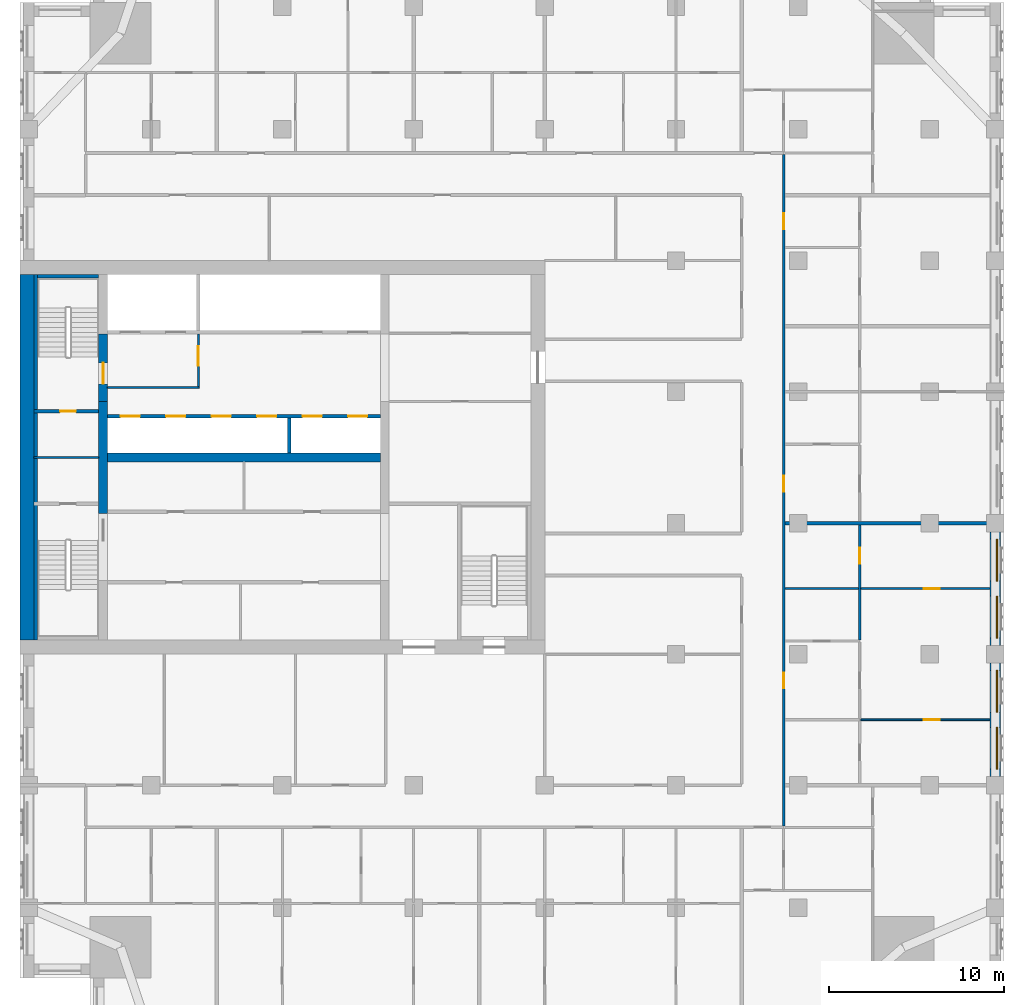
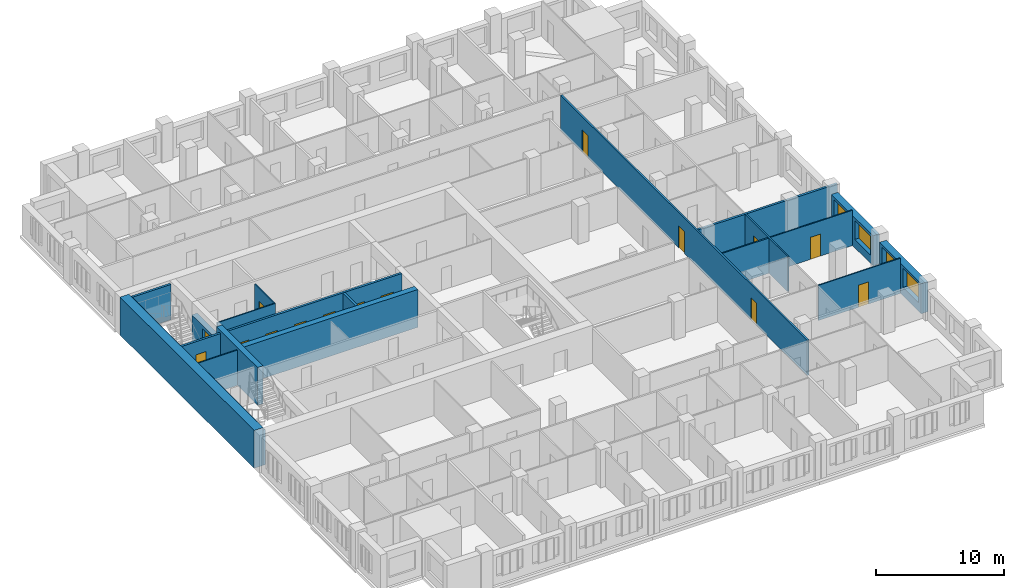
# One storey, part 7 of 13: 20 walls, 15 doors, 4 windows, 19 openings.
"""IFC4 building model written with IfcOpenShell, lengths in metres."""

import ifcopenshell
import ifcopenshell.guid

model = None  # the IFC model being written
_history = None  # IfcOwnerHistory: only IFC2X3 demands one
_inside = {}  # id of a spatial element -> (the spatial element, [elements in it])
_under = {}  # id of a project, library or spatial element -> (it, [spatial elements below it])
_declared = {}  # id of a project -> (the project, [libraries it declares])
_typed = {}  # id of a type object -> (the type object, [elements of that type])
_made_of = {}  # id of a material, layer set ... -> (it, [elements and type objects made of it])


def new_model(schema):
    """Start an empty IFC model of exactly this schema.

    Asked for "IFC4X3", IfcOpenShell would pick the latest addendum, in which some entities
    have other attributes; the version numbers below select the first issue.
    IFC2X3 requires an IfcOwnerHistory on every rooted entity: one is made here for all.
    """
    global model, _history
    if schema == "IFC4X3":
        model = ifcopenshell.file(schema_version=(4, 3, 0, 0))
    else:
        model = ifcopenshell.file(schema=schema)
    _inside.clear()
    _under.clear()
    _declared.clear()
    _typed.clear()
    _made_of.clear()
    _history = None
    if model.schema == "IFC2X3":
        org = make("IfcOrganization", Name="unknown")
        user = make(
            "IfcPersonAndOrganization",
            ThePerson=make("IfcPerson", FamilyName="unknown"),
            TheOrganization=org,
        )
        app = make(
            "IfcApplication",
            ApplicationDeveloper=org,
            Version="unknown",
            ApplicationFullName="unknown",
            ApplicationIdentifier="unknown",
        )
        _history = make(
            "IfcOwnerHistory",
            OwningUser=user,
            OwningApplication=app,
            ChangeAction="ADDED",
            CreationDate=0,
        )
    return model


def make(cls, **values):
    """One entity of the class cls with the attributes given. An attribute that is None is left unset."""
    return model.create_entity(
        cls, **{name: value for name, value in values.items() if value is not None}
    )


def rooted(cls, **values):
    """An entity with a GlobalId (a new one), such as an element, a storey or a relation."""
    return make(cls, GlobalId=ifcopenshell.guid.new(), OwnerHistory=_history, **values)


def si_unit(unit_type, name, prefix=None):
    """IfcSIUnit, for example si_unit("LENGTHUNIT", "METRE", prefix="MILLI")."""
    return make("IfcSIUnit", UnitType=unit_type, Prefix=prefix, Name=name)


def assignment(units):
    """IfcUnitAssignment: the units of a project."""
    return None if units is None else make("IfcUnitAssignment", Units=units)


def point(xyz):
    """IfcCartesianPoint."""
    return None if xyz is None else make("IfcCartesianPoint", Coordinates=xyz)


def direction(xyz):
    """IfcDirection."""
    return None if xyz is None else make("IfcDirection", DirectionRatios=xyz)


def frame(location, z_axis=None, x_axis=None):
    """IfcAxis2Placement3D, a coordinate frame: its origin and axes. An axis left out is left unset."""
    return make(
        "IfcAxis2Placement3D",
        Location=point(location),
        Axis=direction(z_axis),
        RefDirection=direction(x_axis),
    )


def frame_2d(location, x_axis=None):
    """IfcAxis2Placement2D, a coordinate frame in the plane: its origin and x axis."""
    return make(
        "IfcAxis2Placement2D", Location=point(location), RefDirection=direction(x_axis)
    )


def origin():
    """The frame at (0, 0, 0) with its axes left unset."""
    return frame((0.0, 0.0, 0.0))


def place(relative_to, where):
    """IfcLocalPlacement: puts the frame where relative to a parent placement (None: the world)."""
    return make(
        "IfcLocalPlacement", PlacementRelTo=relative_to, RelativePlacement=where
    )


def context(
    kind, dimensions, precision=None, world=None, true_north=None, identifier=None
):
    """IfcGeometricRepresentationContext, for example the 3D "Model" context."""
    return make(
        "IfcGeometricRepresentationContext",
        ContextIdentifier=identifier,
        ContextType=kind,
        CoordinateSpaceDimension=dimensions,
        Precision=precision,
        WorldCoordinateSystem=world,
        TrueNorth=true_north,
    )


def subcontext(parent, identifier, kind, view, scale=None):
    """IfcGeometricRepresentationSubContext, for example "Body" below "Model"."""
    return make(
        "IfcGeometricRepresentationSubContext",
        ContextIdentifier=identifier,
        ContextType=kind,
        ParentContext=parent,
        TargetScale=scale,
        TargetView=view,
    )


def project(units=None, contexts=None):
    """IfcProject with its units and contexts."""
    return rooted(
        "IfcProject",
        Name="project",
        RepresentationContexts=contexts,
        UnitsInContext=assignment(units),
    )


def spatial(cls, under=None, at=None, **own):
    """A site, building, storey or space (cls), placed at a placement, below another one or the project."""
    s = rooted(cls, ObjectPlacement=at, **own)
    if under is not None:
        _under.setdefault(under.id(), (under, []))[1].append(s)
    return s


def profile(cls, at=None, kind="AREA", **sizes):
    """A parametric profile (cls). Its sizes go by their IFC names, for example OverallWidth=200.0."""
    return make(cls, ProfileType=kind, Position=at, **sizes)


def rectangle(**sizes):
    """IfcRectangleProfileDef."""
    return profile("IfcRectangleProfileDef", **sizes)


def extrude(swept, where, along, depth):
    """IfcExtrudedAreaSolid: the profile swept, set in the frame where, extruded along a direction by depth."""
    return make(
        "IfcExtrudedAreaSolid",
        SweptArea=swept,
        Position=where,
        ExtrudedDirection=direction(along),
        Depth=depth,
    )


def shape(context_of_items, identifier, shape_type, items):
    """IfcShapeRepresentation: the items that make up one representation, for example the "Body"."""
    return make(
        "IfcShapeRepresentation",
        ContextOfItems=context_of_items,
        RepresentationIdentifier=identifier,
        RepresentationType=shape_type,
        Items=items,
    )


def material(Name=None, Category=None):
    """IfcMaterial."""
    return make("IfcMaterial", Name=Name, Category=Category)


def layer(
    of_material, thickness, ventilated=None, Name=None, Category=None, Priority=None
):
    """IfcMaterialLayer: one layer of a wall or slab, of a material (None: an air gap)."""
    return make(
        "IfcMaterialLayer",
        Material=of_material,
        LayerThickness=thickness,
        IsVentilated=ventilated,
        Name=Name,
        Category=Category,
        Priority=Priority,
    )


def layer_set(layers, Name=None):
    """IfcMaterialLayerSet."""
    return make("IfcMaterialLayerSet", MaterialLayers=layers, LayerSetName=Name)


def made_of(thing, what):
    """Note that an element or type object is made of a material, layer set ...; save() writes the relation."""
    if what is not None:
        _made_of.setdefault(what.id(), (what, []))[1].append(thing)
    return thing


def type_object(cls, material=None, **own):
    """A type object (cls), such as IfcWallType, which elements share."""
    return made_of(rooted(cls, **own), material)


def element(
    cls,
    number,
    at=None,
    inside=None,
    cuts=None,
    type_object=None,
    material=None,
    context=None,
    identifier="Body",
    shape_type=None,
    held_by="IfcProductDefinitionShape",
    body=None,
    shapes=None,
    **own,
):
    """One element of the class cls, such as IfcWall. Its Tag is "e" and its number.

    at: its placement. inside: the storey or other place that contains it. cuts: it is an
    opening in that element (IfcRelVoidsElement). A single representation is given by context,
    identifier, shape_type and body (its items); several are given by shapes. held_by: the class
    of the entity that holds the representations. save() writes the other relations.
    """
    e = rooted(cls, Tag="e%d" % number, ObjectPlacement=at, **own)
    if body is not None:
        shapes = [shape(context, identifier, shape_type, body)]
    if shapes is not None:
        e.Representation = make(held_by, Representations=shapes)
    if inside is not None:
        _inside.setdefault(inside.id(), (inside, []))[1].append(e)
    if cuts is not None:
        rooted(
            "IfcRelVoidsElement", RelatingBuildingElement=cuts, RelatedOpeningElement=e
        )
    if type_object is not None:
        _typed.setdefault(type_object.id(), (type_object, []))[1].append(e)
    return made_of(e, material)


def fill(opening, filler):
    """IfcRelFillsElement: the door or window that sits in an opening."""
    return rooted(
        "IfcRelFillsElement",
        RelatingOpeningElement=opening,
        RelatedBuildingElement=filler,
    )


def aggregate(whole, parts):
    """IfcRelAggregates: a whole, such as a stair, and the parts it consists of."""
    return rooted("IfcRelAggregates", RelatingObject=whole, RelatedObjects=parts)


def save(model, path):
    """Write the relations noted so far, then the file.

    IfcRelAggregates (storeys below a building ...), IfcRelContainedInSpatialStructure (elements
    in a storey), IfcRelDefinesByType, IfcRelAssociatesMaterial and IfcRelDeclares: one each for
    every whole, place, type object, material and project.
    """
    for whole, parts in _under.values():
        aggregate(whole, parts)
    for where, things in _inside.values():
        rooted(
            "IfcRelContainedInSpatialStructure",
            RelatedElements=things,
            RelatingStructure=where,
        )
    for kind, things in _typed.values():
        rooted("IfcRelDefinesByType", RelatedObjects=things, RelatingType=kind)
    for what, things in _made_of.values():
        rooted("IfcRelAssociatesMaterial", RelatedObjects=things, RelatingMaterial=what)
    for by, libraries in _declared.values():
        rooted("IfcRelDeclares", RelatingContext=by, RelatedDefinitions=libraries)
    model.write(path)


model = new_model("IFC4")

# Units and contexts
model_context = context("Model", 3, precision=1e-05, world=origin(), true_north=direction((0.0, 1.0)))
body_context = subcontext(model_context, "Body", "Model", "MODEL_VIEW")
ifc_project = project(units=[si_unit("LENGTHUNIT", "METRE"), si_unit("AREAUNIT", "SQUARE_METRE"), si_unit("VOLUMEUNIT", "CUBIC_METRE"), si_unit("PLANEANGLEUNIT", "RADIAN"), si_unit("MASSUNIT", "GRAM", prefix="KILO")], contexts=[model_context])

# Site, building, storey
site_placement = place(None, origin())
site = spatial("IfcSite", under=ifc_project, at=site_placement, CompositionType="ELEMENT")
building_placement = place(site_placement, origin())
building = spatial("IfcBuilding", under=site, at=building_placement, Name="Tamorin Gate", CompositionType="ELEMENT")
storey_placement = place(building_placement, frame((0.0, 0.0, 130.199951171875)))
storey = spatial("IfcBuildingStorey", under=building, at=storey_placement, Name="L31", CompositionType="ELEMENT", Elevation=130.199951171875)

# Wall, openings, windows
ifc_material_1 = material(Name="Precast concrete C40/50", Category="concrete")
ifc_layer_1 = layer(ifc_material_1, 0.60009765625)
ifc_layer_set_1 = layer_set([ifc_layer_1], Name="Precast concrete C40/50")
wall_type_1 = type_object("IfcWallType", Name="Board-marked concrete facade panel 600", PredefinedType="SOLIDWALL", material=ifc_layer_set_1)
wall_1_placement = place(storey_placement, frame((85.75, 53.0, 0.0), z_axis=(0.0, 0.0, 1.0), x_axis=(0.0, 1.0, 0.0)))
wall_1 = element("IfcWall", 1, at=wall_1_placement, inside=storey, type_object=wall_type_1, Name="Facade panel", PredefinedType="SOLIDWALL", context=body_context, shape_type="SweptSolid", body=[
    extrude(rectangle(XDim=6.5, YDim=0.60009765625, at=frame_2d((3.25, 0.0))), origin(), (0.0, 0.0, 1.0), 2.85009765625),
])
opening_1_placement = place(wall_1_placement, frame((0.425048828125, 0.0, 0.800048828125)))
opening_1 = element("IfcOpeningElement", 2, at=opening_1_placement, cuts=wall_1, Name="Opening WN1", PredefinedType="OPENING", context=body_context, shape_type="SweptSolid", body=[
    extrude(rectangle(XDim=2.39990234375, YDim=1.800048828125, at=frame_2d((1.199951171875, 0.89990234375))), frame((0.0, 0.31005859375, 0.0), z_axis=(0.0, -1.0, 0.0), x_axis=(1.0, 0.0, 0.0)), (0.0, 0.0, 1.0), 0.6201171875),
])
opening_2_placement = place(wall_1_placement, frame((3.675048828125, 0.0, 0.800048828125)))
opening_2 = element("IfcOpeningElement", 3, at=opening_2_placement, cuts=wall_1, Name="Opening WN1", PredefinedType="OPENING", context=body_context, shape_type="SweptSolid", body=[
    extrude(rectangle(XDim=2.39990234375, YDim=1.800048828125, at=frame_2d((1.199951171875, 0.89990234375))), frame((0.0, 0.31005859375, 0.0), z_axis=(0.0, -1.0, 0.0), x_axis=(1.0, 0.0, 0.0)), (0.0, 0.0, 1.0), 0.6201171875),
])
ifc_material_2 = material(Name="Clear glass in aluminium frame", Category="aluminium")
window_type = type_object("IfcWindowType", Name="Deep-set window 2400x1800", PartitioningType="SINGLE_PANEL", PredefinedType="WINDOW", material=ifc_material_2)
window_1_placement = place(opening_1_placement, origin())
window_1 = element("IfcWindow", 4, at=window_1_placement, inside=storey, type_object=window_type, Name="Deep-set window", OverallHeight=1.800048828125, OverallWidth=2.39990234375, PartitioningType="SINGLE_PANEL", PredefinedType="WINDOW", context=body_context, shape_type="SweptSolid", body=[
    extrude(rectangle(XDim=2.39990234375, YDim=1.800048828125, at=frame_2d((1.199951171875, 0.89990234375))), frame((0.0, -0.070068359375, 0.0), z_axis=(0.0, -1.0, 0.0), x_axis=(1.0, 0.0, 0.0)), (0.0, 0.0, 1.0), 0.06005859375),
])
fill(opening_1, window_1)
window_2_placement = place(opening_2_placement, origin())
window_2 = element("IfcWindow", 5, at=window_2_placement, inside=storey, type_object=window_type, Name="Deep-set window", OverallHeight=1.800048828125, OverallWidth=2.39990234375, PartitioningType="SINGLE_PANEL", PredefinedType="WINDOW", context=body_context, shape_type="SweptSolid", body=[
    extrude(rectangle(XDim=2.39990234375, YDim=1.800048828125, at=frame_2d((1.199951171875, 0.89990234375))), frame((0.0, -0.070068359375, 0.0), z_axis=(0.0, -1.0, 0.0), x_axis=(1.0, 0.0, 0.0)), (0.0, 0.0, 1.0), 0.06005859375),
])
fill(opening_2, window_2)

wall_2_placement = place(storey_placement, frame((85.75, 60.5, 0.0), z_axis=(0.0, 0.0, 1.0), x_axis=(0.0, 1.0, 0.0)))
wall_2 = element("IfcWall", 6, at=wall_2_placement, inside=storey, type_object=wall_type_1, Name="Facade panel", PredefinedType="SOLIDWALL", context=body_context, shape_type="SweptSolid", body=[
    extrude(rectangle(XDim=6.5, YDim=0.60009765625, at=frame_2d((3.25, 0.0))), origin(), (0.0, 0.0, 1.0), 2.85009765625),
])
opening_3_placement = place(wall_2_placement, frame((0.425048828125, 0.0, 0.800048828125)))
opening_3 = element("IfcOpeningElement", 7, at=opening_3_placement, cuts=wall_2, Name="Opening WN1", PredefinedType="OPENING", context=body_context, shape_type="SweptSolid", body=[
    extrude(rectangle(XDim=2.39990234375, YDim=1.800048828125, at=frame_2d((1.199951171875, 0.89990234375))), frame((0.0, 0.31005859375, 0.0), z_axis=(0.0, -1.0, 0.0), x_axis=(1.0, 0.0, 0.0)), (0.0, 0.0, 1.0), 0.6201171875),
])
opening_4_placement = place(wall_2_placement, frame((3.675048828125, 0.0, 0.800048828125)))
opening_4 = element("IfcOpeningElement", 8, at=opening_4_placement, cuts=wall_2, Name="Opening WN1", PredefinedType="OPENING", context=body_context, shape_type="SweptSolid", body=[
    extrude(rectangle(XDim=2.39990234375, YDim=1.800048828125, at=frame_2d((1.199951171875, 0.89990234375))), frame((0.0, 0.31005859375, 0.0), z_axis=(0.0, -1.0, 0.0), x_axis=(1.0, 0.0, 0.0)), (0.0, 0.0, 1.0), 0.6201171875),
])
window_3_placement = place(opening_3_placement, origin())
window_3 = element("IfcWindow", 9, at=window_3_placement, inside=storey, type_object=window_type, Name="Deep-set window", OverallHeight=1.800048828125, OverallWidth=2.39990234375, PartitioningType="SINGLE_PANEL", PredefinedType="WINDOW", context=body_context, shape_type="SweptSolid", body=[
    extrude(rectangle(XDim=2.39990234375, YDim=1.800048828125, at=frame_2d((1.199951171875, 0.89990234375))), frame((0.0, -0.070068359375, 0.0), z_axis=(0.0, -1.0, 0.0), x_axis=(1.0, 0.0, 0.0)), (0.0, 0.0, 1.0), 0.06005859375),
])
fill(opening_3, window_3)
window_4_placement = place(opening_4_placement, origin())
window_4 = element("IfcWindow", 10, at=window_4_placement, inside=storey, type_object=window_type, Name="Deep-set window", OverallHeight=1.800048828125, OverallWidth=2.39990234375, PartitioningType="SINGLE_PANEL", PredefinedType="WINDOW", context=body_context, shape_type="SweptSolid", body=[
    extrude(rectangle(XDim=2.39990234375, YDim=1.800048828125, at=frame_2d((1.199951171875, 0.89990234375))), frame((0.0, -0.070068359375, 0.0), z_axis=(0.0, -1.0, 0.0), x_axis=(1.0, 0.0, 0.0)), (0.0, 0.0, 1.0), 0.06005859375),
])
fill(opening_4, window_4)

# Wall, openings, doors
ifc_material_3 = material(Name="Gypsum board partition")
ifc_layer_2 = layer(ifc_material_3, 0.14990234375)
ifc_layer_set_2 = layer_set([ifc_layer_2], Name="Corridor wall 150")
wall_type_2 = type_object("IfcWallType", Name="Corridor wall 150", PredefinedType="PARTITIONING", material=ifc_layer_set_2)
wall_3_placement = place(storey_placement, frame((73.64990234375, 50.175048828125, 0.0), z_axis=(0.0, 0.0, 1.0), x_axis=(0.0, 1.0, 0.0)))
wall_3 = element("IfcWall", 11, at=wall_3_placement, inside=storey, type_object=wall_type_2, Name="Corridor wall 150", PredefinedType="PARTITIONING", context=body_context, shape_type="SweptSolid", body=[
    extrude(rectangle(XDim=38.39990234375, YDim=0.14990234375, at=frame_2d((19.199951171875, 0.0))), origin(), (0.0, 0.0, 1.0), 3.35009765625),
])
opening_5_placement = place(wall_3_placement, frame((7.875, 0.0, 0.0)))
opening_5 = element("IfcOpeningElement", 12, at=opening_5_placement, cuts=wall_3, Name="Opening DS1037", PredefinedType="OPENING", context=body_context, shape_type="SweptSolid", body=[
    extrude(rectangle(XDim=0.89990234375, YDim=2.10009765625, at=frame_2d((0.449951171875, 1.050048828125))), frame((0.0, 0.0849609375, 0.0), z_axis=(0.0, -1.0, 0.0), x_axis=(1.0, 0.0, 0.0)), (0.0, 0.0, 1.0), 0.169921875),
])
opening_6_placement = place(wall_3_placement, frame((19.125, 0.0, 0.0)))
opening_6 = element("IfcOpeningElement", 13, at=opening_6_placement, cuts=wall_3, Name="Opening DS1043", PredefinedType="OPENING", context=body_context, shape_type="SweptSolid", body=[
    extrude(rectangle(XDim=0.89990234375, YDim=2.10009765625, at=frame_2d((0.449951171875, 1.050048828125))), frame((0.0, 0.0849609375, 0.0), z_axis=(0.0, -1.0, 0.0), x_axis=(1.0, 0.0, 0.0)), (0.0, 0.0, 1.0), 0.169921875),
])
opening_7_placement = place(wall_3_placement, frame((34.125, 0.0, 0.0)))
opening_7 = element("IfcOpeningElement", 14, at=opening_7_placement, cuts=wall_3, Name="Opening DS1049", PredefinedType="OPENING", context=body_context, shape_type="SweptSolid", body=[
    extrude(rectangle(XDim=0.89990234375, YDim=2.10009765625, at=frame_2d((0.449951171875, 1.050048828125))), frame((0.0, 0.0849609375, 0.0), z_axis=(0.0, -1.0, 0.0), x_axis=(1.0, 0.0, 0.0)), (0.0, 0.0, 1.0), 0.169921875),
])
ifc_material_4 = material(Name="Timber door leaf", Category="wood")
door_type_1 = type_object("IfcDoorType", Name="Door 900 x 2100 FD30S", OperationType="NOTDEFINED", PredefinedType="DOOR", material=ifc_material_4)
door_1_placement = place(opening_5_placement, origin())
door_1 = element("IfcDoor", 15, at=door_1_placement, inside=storey, type_object=door_type_1, Name="Door DS1037", OperationType="SINGLE_SWING_RIGHT", OverallHeight=2.10009765625, OverallWidth=0.89990234375, PredefinedType="DOOR", context=body_context, shape_type="SweptSolid", body=[
    extrude(rectangle(XDim=0.89990234375, YDim=2.10009765625, at=frame_2d((0.449951171875, 1.050048828125))), frame((0.0, 0.02490234375, 0.0), z_axis=(0.0, -1.0, 0.0), x_axis=(1.0, 0.0, 0.0)), (0.0, 0.0, 1.0), 0.050048828125),
])
fill(opening_5, door_1)
door_2_placement = place(opening_6_placement, origin())
door_2 = element("IfcDoor", 16, at=door_2_placement, inside=storey, type_object=door_type_1, Name="Door DS1043", OperationType="SINGLE_SWING_RIGHT", OverallHeight=2.10009765625, OverallWidth=0.89990234375, PredefinedType="DOOR", context=body_context, shape_type="SweptSolid", body=[
    extrude(rectangle(XDim=0.89990234375, YDim=2.10009765625, at=frame_2d((0.449951171875, 1.050048828125))), frame((0.0, 0.02490234375, 0.0), z_axis=(0.0, -1.0, 0.0), x_axis=(1.0, 0.0, 0.0)), (0.0, 0.0, 1.0), 0.050048828125),
])
fill(opening_6, door_2)
door_3_placement = place(opening_7_placement, origin())
door_3 = element("IfcDoor", 17, at=door_3_placement, inside=storey, type_object=door_type_1, Name="Door DS1049", OperationType="SINGLE_SWING_RIGHT", OverallHeight=2.10009765625, OverallWidth=0.89990234375, PredefinedType="DOOR", context=body_context, shape_type="SweptSolid", body=[
    extrude(rectangle(XDim=0.89990234375, YDim=2.10009765625, at=frame_2d((0.449951171875, 1.050048828125))), frame((0.0, 0.02490234375, 0.0), z_axis=(0.0, -1.0, 0.0), x_axis=(1.0, 0.0, 0.0)), (0.0, 0.0, 1.0), 0.050048828125),
])
fill(opening_7, door_3)

# Wall
ifc_layer_3 = layer(ifc_material_3, 0.199951171875)
ifc_layer_set_3 = layer_set([ifc_layer_3], Name="Demising wall 200")
wall_type_3 = type_object("IfcWallType", Name="Demising wall 200", PredefinedType="PARTITIONING", material=ifc_layer_set_3)
wall_4_placement = place(storey_placement, frame((73.72509765625, 67.5, 0.0), z_axis=(0.0, 0.0, 1.0), x_axis=(1.0, 0.0, 0.0)))
element("IfcWall", 18, at=wall_4_placement, inside=storey, type_object=wall_type_3, Name="Demising wall 200", PredefinedType="PARTITIONING", context=body_context, shape_type="SweptSolid", body=[
    extrude(rectangle(XDim=12.52490234375, YDim=0.199951171875, at=frame_2d((6.262451171875, 0.0))), origin(), (0.0, 0.0, 1.0), 3.35009765625),
])

# Wall, openings, doors
ifc_material_5 = material(Name="Concrete C32/40", Category="concrete")
ifc_layer_4 = layer(ifc_material_5, 0.199951171875)
ifc_layer_set_4 = layer_set([ifc_layer_4], Name="Lift lobby face wall 200 EI 120")
wall_type_4 = type_object("IfcWallType", Name="Lift lobby face wall 200 EI 120", PredefinedType="SOLIDWALL", material=ifc_layer_set_4)
wall_5_placement = place(storey_placement, frame((35.0, 73.60009765625, 0.0), z_axis=(0.0, 0.0, 1.0), x_axis=(1.0, 0.0, 0.0)))
wall_5 = element("IfcWall", 19, at=wall_5_placement, inside=storey, type_object=wall_type_4, Name="Lift lobby face wall", PredefinedType="SOLIDWALL", context=body_context, shape_type="SweptSolid", body=[
    extrude(rectangle(XDim=15.60009765625, YDim=0.199951171875, at=frame_2d((7.800048828125, 0.0))), origin(), (0.0, 0.0, 1.0), 3.60009765625),
])
opening_8_placement = place(wall_5_placement, frame((0.75, 0.0, 0.0)))
opening_8 = element("IfcOpeningElement", 20, at=opening_8_placement, cuts=wall_5, Name="Opening LD11", PredefinedType="OPENING", context=body_context, shape_type="SweptSolid", body=[
    extrude(rectangle(XDim=1.10009765625, YDim=2.10009765625, at=frame_2d((0.550048828125, 1.050048828125))), frame((0.0, 0.10986328125, 0.0), z_axis=(0.0, -1.0, 0.0), x_axis=(1.0, 0.0, 0.0)), (0.0, 0.0, 1.0), 0.219970703125),
])
opening_9_placement = place(wall_5_placement, frame((3.35009765625, 0.0, 0.0)))
opening_9 = element("IfcOpeningElement", 21, at=opening_9_placement, cuts=wall_5, Name="Opening LD12", PredefinedType="OPENING", context=body_context, shape_type="SweptSolid", body=[
    extrude(rectangle(XDim=1.10009765625, YDim=2.10009765625, at=frame_2d((0.550048828125, 1.050048828125))), frame((0.0, 0.10986328125, 0.0), z_axis=(0.0, -1.0, 0.0), x_axis=(1.0, 0.0, 0.0)), (0.0, 0.0, 1.0), 0.219970703125),
])
opening_10_placement = place(wall_5_placement, frame((5.949951171875, 0.0, 0.0)))
opening_10 = element("IfcOpeningElement", 22, at=opening_10_placement, cuts=wall_5, Name="Opening LD13", PredefinedType="OPENING", context=body_context, shape_type="SweptSolid", body=[
    extrude(rectangle(XDim=1.10009765625, YDim=2.10009765625, at=frame_2d((0.550048828125, 1.050048828125))), frame((0.0, 0.10986328125, 0.0), z_axis=(0.0, -1.0, 0.0), x_axis=(1.0, 0.0, 0.0)), (0.0, 0.0, 1.0), 0.219970703125),
])
opening_11_placement = place(wall_5_placement, frame((8.550048828125, 0.0, 0.0)))
opening_11 = element("IfcOpeningElement", 23, at=opening_11_placement, cuts=wall_5, Name="Opening LD14", PredefinedType="OPENING", context=body_context, shape_type="SweptSolid", body=[
    extrude(rectangle(XDim=1.10009765625, YDim=2.10009765625, at=frame_2d((0.550048828125, 1.050048828125))), frame((0.0, 0.10986328125, 0.0), z_axis=(0.0, -1.0, 0.0), x_axis=(1.0, 0.0, 0.0)), (0.0, 0.0, 1.0), 0.219970703125),
])
opening_12_placement = place(wall_5_placement, frame((11.14990234375, 0.0, 0.0)))
opening_12 = element("IfcOpeningElement", 24, at=opening_12_placement, cuts=wall_5, Name="Opening LD15", PredefinedType="OPENING", context=body_context, shape_type="SweptSolid", body=[
    extrude(rectangle(XDim=1.10009765625, YDim=2.10009765625, at=frame_2d((0.550048828125, 1.050048828125))), frame((0.0, 0.10986328125, 0.0), z_axis=(0.0, -1.0, 0.0), x_axis=(1.0, 0.0, 0.0)), (0.0, 0.0, 1.0), 0.219970703125),
])
opening_13_placement = place(wall_5_placement, frame((13.75, 0.0, 0.0)))
opening_13 = element("IfcOpeningElement", 25, at=opening_13_placement, cuts=wall_5, Name="Opening LD16", PredefinedType="OPENING", context=body_context, shape_type="SweptSolid", body=[
    extrude(rectangle(XDim=1.10009765625, YDim=2.10009765625, at=frame_2d((0.550048828125, 1.050048828125))), frame((0.0, 0.10986328125, 0.0), z_axis=(0.0, -1.0, 0.0), x_axis=(1.0, 0.0, 0.0)), (0.0, 0.0, 1.0), 0.219970703125),
])
ifc_material_6 = material(Name="Stainless steel sliding door", Category="steel")
door_type_2 = type_object("IfcDoorType", Name="Lift landing door 1100 x 2100 E 90", OperationType="DOUBLE_DOOR_SLIDING", PredefinedType="DOOR", material=ifc_material_6)
door_4_placement = place(opening_8_placement, origin())
door_4 = element("IfcDoor", 26, at=door_4_placement, inside=storey, type_object=door_type_2, Name="HR1 landing door", OperationType="DOUBLE_DOOR_SLIDING", OverallHeight=2.10009765625, OverallWidth=1.10009765625, PredefinedType="DOOR", context=body_context, shape_type="SweptSolid", body=[
    extrude(rectangle(XDim=1.10009765625, YDim=2.10009765625, at=frame_2d((0.550048828125, 1.050048828125))), frame((0.0, 0.02490234375, 0.0), z_axis=(0.0, -1.0, 0.0), x_axis=(1.0, 0.0, 0.0)), (0.0, 0.0, 1.0), 0.050048828125),
])
fill(opening_8, door_4)
door_5_placement = place(opening_9_placement, origin())
door_5 = element("IfcDoor", 27, at=door_5_placement, inside=storey, type_object=door_type_2, Name="HR2 landing door", OperationType="DOUBLE_DOOR_SLIDING", OverallHeight=2.10009765625, OverallWidth=1.10009765625, PredefinedType="DOOR", context=body_context, shape_type="SweptSolid", body=[
    extrude(rectangle(XDim=1.10009765625, YDim=2.10009765625, at=frame_2d((0.550048828125, 1.050048828125))), frame((0.0, 0.02490234375, 0.0), z_axis=(0.0, -1.0, 0.0), x_axis=(1.0, 0.0, 0.0)), (0.0, 0.0, 1.0), 0.050048828125),
])
fill(opening_9, door_5)
door_6_placement = place(opening_10_placement, origin())
door_6 = element("IfcDoor", 28, at=door_6_placement, inside=storey, type_object=door_type_2, Name="HR3 landing door", OperationType="DOUBLE_DOOR_SLIDING", OverallHeight=2.10009765625, OverallWidth=1.10009765625, PredefinedType="DOOR", context=body_context, shape_type="SweptSolid", body=[
    extrude(rectangle(XDim=1.10009765625, YDim=2.10009765625, at=frame_2d((0.550048828125, 1.050048828125))), frame((0.0, 0.02490234375, 0.0), z_axis=(0.0, -1.0, 0.0), x_axis=(1.0, 0.0, 0.0)), (0.0, 0.0, 1.0), 0.050048828125),
])
fill(opening_10, door_6)
door_7_placement = place(opening_11_placement, origin())
door_7 = element("IfcDoor", 29, at=door_7_placement, inside=storey, type_object=door_type_2, Name="HR4 landing door", OperationType="DOUBLE_DOOR_SLIDING", OverallHeight=2.10009765625, OverallWidth=1.10009765625, PredefinedType="DOOR", context=body_context, shape_type="SweptSolid", body=[
    extrude(rectangle(XDim=1.10009765625, YDim=2.10009765625, at=frame_2d((0.550048828125, 1.050048828125))), frame((0.0, 0.02490234375, 0.0), z_axis=(0.0, -1.0, 0.0), x_axis=(1.0, 0.0, 0.0)), (0.0, 0.0, 1.0), 0.050048828125),
])
fill(opening_11, door_7)
door_8_placement = place(opening_12_placement, origin())
door_8 = element("IfcDoor", 30, at=door_8_placement, inside=storey, type_object=door_type_2, Name="HR5 landing door", OperationType="DOUBLE_DOOR_SLIDING", OverallHeight=2.10009765625, OverallWidth=1.10009765625, PredefinedType="DOOR", context=body_context, shape_type="SweptSolid", body=[
    extrude(rectangle(XDim=1.10009765625, YDim=2.10009765625, at=frame_2d((0.550048828125, 1.050048828125))), frame((0.0, 0.02490234375, 0.0), z_axis=(0.0, -1.0, 0.0), x_axis=(1.0, 0.0, 0.0)), (0.0, 0.0, 1.0), 0.050048828125),
])
fill(opening_12, door_8)
door_9_placement = place(opening_13_placement, origin())
door_9 = element("IfcDoor", 31, at=door_9_placement, inside=storey, type_object=door_type_2, Name="HR6 landing door", OperationType="DOUBLE_DOOR_SLIDING", OverallHeight=2.10009765625, OverallWidth=1.10009765625, PredefinedType="DOOR", context=body_context, shape_type="SweptSolid", body=[
    extrude(rectangle(XDim=1.10009765625, YDim=2.10009765625, at=frame_2d((0.550048828125, 1.050048828125))), frame((0.0, 0.02490234375, 0.0), z_axis=(0.0, -1.0, 0.0), x_axis=(1.0, 0.0, 0.0)), (0.0, 0.0, 1.0), 0.050048828125),
])
fill(opening_13, door_9)

# Walls
ifc_layer_5 = layer(ifc_material_5, 0.199951171875)
ifc_layer_set_5 = layer_set([ifc_layer_5], Name="Lift shaft wall 200 EI 120")
wall_type_5 = type_object("IfcWallType", Name="Lift shaft wall 200 EI 120", PredefinedType="SOLIDWALL", material=ifc_layer_set_5)
wall_6_placement = place(storey_placement, frame((45.39990234375, 71.5, 0.0), z_axis=(0.0, 0.0, 1.0), x_axis=(0.0, 1.0, 0.0)))
element("IfcWall", 32, at=wall_6_placement, inside=storey, type_object=wall_type_5, Name="Lift shaft wall", PredefinedType="SOLIDWALL", context=body_context, shape_type="SweptSolid", body=[
    extrude(rectangle(XDim=2.0, YDim=0.199951171875, at=frame_2d((1.0, 0.0))), origin(), (0.0, 0.0, 1.0), 3.60009765625),
])
ifc_material_7 = material(Name="Fire-rated gypsum board partition")
ifc_layer_6 = layer(ifc_material_7, 0.10009765625)
ifc_layer_set_6 = layer_set([ifc_layer_6], Name="Lobby wall 100 EI 60")
wall_type_6 = type_object("IfcWallType", Name="Lobby wall 100 EI 60", PredefinedType="PARTITIONING", material=ifc_layer_set_6)
wall_7_placement = place(storey_placement, frame((35.0, 75.25, 0.0), z_axis=(0.0, 0.0, 1.0), x_axis=(1.0, 0.0, 0.0)))
element("IfcWall", 33, at=wall_7_placement, inside=storey, type_object=wall_type_6, Name="Firefighting lobby wall", PredefinedType="PARTITIONING", context=body_context, shape_type="SweptSolid", body=[
    extrude(rectangle(XDim=5.25, YDim=0.10009765625, at=frame_2d((2.625, 0.0))), origin(), (0.0, 0.0, 1.0), 3.35009765625),
])

# Wall, opening, door
wall_8_placement = place(storey_placement, frame((40.199951171875, 75.300048828125, 0.0), z_axis=(0.0, 0.0, 1.0), x_axis=(0.0, 1.0, 0.0)))
wall_8 = element("IfcWall", 34, at=wall_8_placement, inside=storey, type_object=wall_type_6, Name="Firefighting lobby wall", PredefinedType="PARTITIONING", context=body_context, shape_type="SweptSolid", body=[
    extrude(rectangle(XDim=3.0, YDim=0.10009765625, at=frame_2d((1.5, 0.0))), origin(), (0.0, 0.0, 1.0), 3.35009765625),
])
opening_14_placement = place(wall_8_placement, frame((1.199951171875, 0.0, 0.0)))
opening_14 = element("IfcOpeningElement", 35, at=opening_14_placement, cuts=wall_8, Name="Opening DF1", PredefinedType="OPENING", context=body_context, shape_type="SweptSolid", body=[
    extrude(rectangle(XDim=1.10009765625, YDim=2.10009765625, at=frame_2d((0.550048828125, 1.050048828125))), frame((0.0, 0.06005859375, 0.0), z_axis=(0.0, -1.0, 0.0), x_axis=(1.0, 0.0, 0.0)), (0.0, 0.0, 1.0), 0.1201171875),
])
ifc_material_8 = material(Name="Steel fire door", Category="steel")
door_type_3 = type_object("IfcDoorType", Name="Firefighting lobby door 1100 x 2100 EI 90", OperationType="SINGLE_SWING_LEFT", PredefinedType="DOOR", material=ifc_material_8)
door_10_placement = place(opening_14_placement, origin())
door_10 = element("IfcDoor", 36, at=door_10_placement, inside=storey, type_object=door_type_3, Name="Firefighting lobby door", OperationType="SINGLE_SWING_LEFT", OverallHeight=2.10009765625, OverallWidth=1.10009765625, PredefinedType="DOOR", context=body_context, shape_type="SweptSolid", body=[
    extrude(rectangle(XDim=1.10009765625, YDim=2.10009765625, at=frame_2d((0.550048828125, 1.050048828125))), frame((0.0, 0.02490234375, 0.0), z_axis=(0.0, -1.0, 0.0), x_axis=(1.0, 0.0, 0.0)), (0.0, 0.0, 1.0), 0.050048828125),
])
fill(opening_14, door_10)

# Walls
ifc_material_9 = material(Name="Concrete C60/75", Category="concrete")
ifc_layer_7 = layer(ifc_material_9, 0.5)
ifc_layer_set_7 = layer_set([ifc_layer_7], Name="RC core internal wall 500 C60/75")
wall_type_7 = type_object("IfcWallType", Name="RC core internal wall 500 C60/75", PredefinedType="SHEAR", material=ifc_layer_set_7)
wall_9_placement = place(storey_placement, frame((35.0, 71.25, 0.0), z_axis=(0.0, 0.0, 1.0), x_axis=(1.0, 0.0, 0.0)))
element("IfcWall", 37, at=wall_9_placement, inside=storey, type_object=wall_type_7, Name="Core spine wall L31", PredefinedType="SHEAR", context=body_context, shape_type="SweptSolid", body=[
    extrude(rectangle(XDim=15.60009765625, YDim=0.5, at=frame_2d((7.800048828125, 0.0))), origin(), (0.0, 0.0, 1.0), 3.60009765625),
])
wall_10_placement = place(storey_placement, frame((34.75, 68.050048828125, 0.0), z_axis=(0.0, 0.0, 1.0), x_axis=(0.0, 1.0, 0.0)))
element("IfcWall", 38, at=wall_10_placement, inside=storey, type_object=wall_type_7, Name="Core cross wall L31", PredefinedType="SHEAR", context=body_context, shape_type="SweptSolid", body=[
    extrude(rectangle(XDim=6.39990234375, YDim=0.5, at=frame_2d((3.199951171875, 0.0))), origin(), (0.0, 0.0, 1.0), 3.60009765625),
])
ifc_layer_8 = layer(ifc_material_9, 0.800048828125)
ifc_layer_set_8 = layer_set([ifc_layer_8], Name="RC core wall 800 C60/75")
wall_type_8 = type_object("IfcWallType", Name="RC core wall 800 C60/75", PredefinedType="SHEAR", material=ifc_layer_set_8)
wall_11_placement = place(storey_placement, frame((30.39990234375, 60.800048828125, 0.0), z_axis=(0.0, 0.0, 1.0), x_axis=(0.0, 1.0, 0.0)))
element("IfcWall", 39, at=wall_11_placement, inside=storey, type_object=wall_type_8, Name="Core wall L31", PredefinedType="SHEAR", context=body_context, shape_type="SweptSolid", body=[
    extrude(rectangle(XDim=20.89990234375, YDim=0.800048828125, at=frame_2d((10.449951171875, 0.0))), origin(), (0.0, 0.0, 1.0), 3.60009765625),
])
ifc_layer_9 = layer(ifc_material_7, 0.10009765625)
ifc_layer_set_9 = layer_set([ifc_layer_9], Name="Riser partition 100 EI 120")
wall_type_9 = type_object("IfcWallType", Name="Riser partition 100 EI 120", PredefinedType="PARTITIONING", material=ifc_layer_set_9)
wall_12_placement = place(storey_placement, frame((30.800048828125, 71.25, 0.0), z_axis=(0.0, 0.0, 1.0), x_axis=(1.0, 0.0, 0.0)))
element("IfcWall", 40, at=wall_12_placement, inside=storey, type_object=wall_type_9, Name="Riser partition", PredefinedType="PARTITIONING", context=body_context, shape_type="SweptSolid", body=[
    extrude(rectangle(XDim=3.699951171875, YDim=0.10009765625, at=frame_2d((1.85009765625, 0.0))), origin(), (0.0, 0.0, 1.0), 3.35009765625),
])

# Wall, opening, door
ifc_layer_10 = layer(ifc_material_3, 0.10009765625)
ifc_layer_set_10 = layer_set([ifc_layer_10], Name="Room partition 100")
wall_type_10 = type_object("IfcWallType", Name="Room partition 100", PredefinedType="PARTITIONING", material=ifc_layer_set_10)
wall_13_placement = place(storey_placement, frame((78.0625, 56.25, 0.0), z_axis=(0.0, 0.0, 1.0), x_axis=(1.0, 0.0, 0.0)))
wall_13 = element("IfcWall", 41, at=wall_13_placement, inside=storey, type_object=wall_type_10, Name="Room partition 100", PredefinedType="PARTITIONING", context=body_context, shape_type="SweptSolid", body=[
    extrude(rectangle(XDim=7.37744140625, YDim=0.10009765625, at=frame_2d((3.688720703125, 0.0))), origin(), (0.0, 0.0, 1.0), 3.35009765625),
])
opening_15_placement = place(wall_13_placement, frame((3.612548828125, 0.0, 0.0)))
opening_15 = element("IfcOpeningElement", 42, at=opening_15_placement, cuts=wall_13, Name="Opening DS1041", PredefinedType="OPENING", context=body_context, shape_type="SweptSolid", body=[
    extrude(rectangle(XDim=0.89990234375, YDim=2.10009765625, at=frame_2d((0.449951171875, 1.050048828125))), frame((0.0, 0.06005859375, 0.0), z_axis=(0.0, -1.0, 0.0), x_axis=(1.0, 0.0, 0.0)), (0.0, 0.0, 1.0), 0.1201171875),
])
door_type_4 = type_object("IfcDoorType", Name="Door 900 x 2100", OperationType="NOTDEFINED", PredefinedType="DOOR", material=ifc_material_4)
door_11_placement = place(opening_15_placement, origin())
door_11 = element("IfcDoor", 43, at=door_11_placement, inside=storey, type_object=door_type_4, Name="Door DS1041", OperationType="SINGLE_SWING_RIGHT", OverallHeight=2.10009765625, OverallWidth=0.89990234375, PredefinedType="DOOR", context=body_context, shape_type="SweptSolid", body=[
    extrude(rectangle(XDim=0.89990234375, YDim=2.10009765625, at=frame_2d((0.449951171875, 1.050048828125))), frame((0.0, 0.02490234375, 0.0), z_axis=(0.0, -1.0, 0.0), x_axis=(1.0, 0.0, 0.0)), (0.0, 0.0, 1.0), 0.050048828125),
])
fill(opening_15, door_11)

wall_14_placement = place(storey_placement, frame((78.0625, 63.75, 0.0), z_axis=(0.0, 0.0, 1.0), x_axis=(1.0, 0.0, 0.0)))
wall_14 = element("IfcWall", 44, at=wall_14_placement, inside=storey, type_object=wall_type_10, Name="Room partition 100", PredefinedType="PARTITIONING", context=body_context, shape_type="SweptSolid", body=[
    extrude(rectangle(XDim=7.37744140625, YDim=0.10009765625, at=frame_2d((3.688720703125, 0.0))), origin(), (0.0, 0.0, 1.0), 3.35009765625),
])
opening_16_placement = place(wall_14_placement, frame((3.612548828125, 0.0, 0.0)))
opening_16 = element("IfcOpeningElement", 45, at=opening_16_placement, cuts=wall_14, Name="Opening DS1042", PredefinedType="OPENING", context=body_context, shape_type="SweptSolid", body=[
    extrude(rectangle(XDim=0.89990234375, YDim=2.10009765625, at=frame_2d((0.449951171875, 1.050048828125))), frame((0.0, 0.06005859375, 0.0), z_axis=(0.0, -1.0, 0.0), x_axis=(1.0, 0.0, 0.0)), (0.0, 0.0, 1.0), 0.1201171875),
])
door_12_placement = place(opening_16_placement, origin())
door_12 = element("IfcDoor", 46, at=door_12_placement, inside=storey, type_object=door_type_4, Name="Door DS1042", OperationType="SINGLE_SWING_RIGHT", OverallHeight=2.10009765625, OverallWidth=0.89990234375, PredefinedType="DOOR", context=body_context, shape_type="SweptSolid", body=[
    extrude(rectangle(XDim=0.89990234375, YDim=2.10009765625, at=frame_2d((0.449951171875, 1.050048828125))), frame((0.0, 0.02490234375, 0.0), z_axis=(0.0, -1.0, 0.0), x_axis=(1.0, 0.0, 0.0)), (0.0, 0.0, 1.0), 0.050048828125),
])
fill(opening_16, door_12)

ifc_material_10 = material(Name="Concrete C40/50", Category="concrete")
ifc_layer_11 = layer(ifc_material_10, 0.199951171875)
ifc_layer_set_11 = layer_set([ifc_layer_11], Name="Stair enclosure wall 200 EI 120 C40/50")
wall_type_11 = type_object("IfcWallType", Name="Stair enclosure wall 200 EI 120 C40/50", PredefinedType="SOLIDWALL", material=ifc_layer_set_11)
wall_15_placement = place(storey_placement, frame((30.800048828125, 73.89990234375, 0.0), z_axis=(0.0, 0.0, 1.0), x_axis=(1.0, 0.0, 0.0)))
wall_15 = element("IfcWall", 47, at=wall_15_placement, inside=storey, type_object=wall_type_11, Name="Stair enclosure wall", PredefinedType="SOLIDWALL", context=body_context, shape_type="SweptSolid", body=[
    extrude(rectangle(XDim=3.699951171875, YDim=0.199951171875, at=frame_2d((1.85009765625, 0.0))), origin(), (0.0, 0.0, 1.0), 3.35009765625),
])
opening_17_placement = place(wall_15_placement, frame((1.5, 0.0, 0.0)))
opening_17 = element("IfcOpeningElement", 48, at=opening_17_placement, cuts=wall_15, Name="Opening DR1", PredefinedType="OPENING", context=body_context, shape_type="SweptSolid", body=[
    extrude(rectangle(XDim=0.89990234375, YDim=2.10009765625, at=frame_2d((0.449951171875, 1.050048828125))), frame((0.0, 0.10986328125, 0.0), z_axis=(0.0, -1.0, 0.0), x_axis=(1.0, 0.0, 0.0)), (0.0, 0.0, 1.0), 0.219970703125),
])
door_type_5 = type_object("IfcDoorType", Name="Riser access door 900 x 2100 EI 120", OperationType="SINGLE_SWING_LEFT", PredefinedType="DOOR", material=ifc_material_8)
door_13_placement = place(opening_17_placement, origin())
door_13 = element("IfcDoor", 49, at=door_13_placement, inside=storey, type_object=door_type_5, Name="Communications riser door", OperationType="SINGLE_SWING_RIGHT", OverallHeight=2.10009765625, OverallWidth=0.89990234375, PredefinedType="DOOR", context=body_context, shape_type="SweptSolid", body=[
    extrude(rectangle(XDim=0.89990234375, YDim=2.10009765625, at=frame_2d((0.449951171875, 1.050048828125))), frame((0.0, 0.02490234375, 0.0), z_axis=(0.0, -1.0, 0.0), x_axis=(1.0, 0.0, 0.0)), (0.0, 0.0, 1.0), 0.050048828125),
])
fill(opening_17, door_13)

# Walls
ifc_layer_12 = layer(ifc_material_9, 0.199951171875)
ifc_layer_set_12 = layer_set([ifc_layer_12], Name="Stair lining wall 200 EI 120 C60/75")
wall_type_12 = type_object("IfcWallType", Name="Stair lining wall 200 EI 120 C60/75", PredefinedType="SOLIDWALL", material=ifc_layer_set_12)
wall_16_placement = place(storey_placement, frame((30.89990234375, 60.800048828125, 0.0), z_axis=(0.0, 0.0, 1.0), x_axis=(0.0, 1.0, 0.0)))
element("IfcWall", 50, at=wall_16_placement, inside=storey, type_object=wall_type_12, Name="Stair lining wall", PredefinedType="SOLIDWALL", context=body_context, shape_type="SweptSolid", body=[
    extrude(rectangle(XDim=20.89990234375, YDim=0.199951171875, at=frame_2d((10.449951171875, 0.0))), origin(), (0.0, 0.0, 1.0), 3.35009765625),
])
wall_17_placement = place(storey_placement, frame((31.0, 81.60009765625, 0.0), z_axis=(0.0, 0.0, 1.0), x_axis=(1.0, 0.0, 0.0)))
element("IfcWall", 51, at=wall_17_placement, inside=storey, type_object=wall_type_12, Name="Stair lining wall", PredefinedType="SOLIDWALL", context=body_context, shape_type="SweptSolid", body=[
    extrude(rectangle(XDim=3.5, YDim=0.199951171875, at=frame_2d((1.75, 0.0))), origin(), (0.0, 0.0, 1.0), 3.35009765625),
])

# Wall, opening, door
ifc_layer_13 = layer(ifc_material_5, 0.5)
ifc_layer_set_13 = layer_set([ifc_layer_13], Name="Stair lobby infill wall 500 EI 120")
wall_type_13 = type_object("IfcWallType", Name="Stair lobby infill wall 500 EI 120", PredefinedType="SOLIDWALL", material=ifc_layer_set_13)
wall_18_placement = place(storey_placement, frame((34.75, 74.449951171875, 0.0), z_axis=(0.0, 0.0, 1.0), x_axis=(0.0, 1.0, 0.0)))
wall_18 = element("IfcWall", 52, at=wall_18_placement, inside=storey, type_object=wall_type_13, Name="Stair lobby infill wall", PredefinedType="SOLIDWALL", context=body_context, shape_type="SweptSolid", body=[
    extrude(rectangle(XDim=3.85009765625, YDim=0.5, at=frame_2d((1.925048828125, 0.0))), origin(), (0.0, 0.0, 1.0), 2.400146484375),
])
opening_18_placement = place(wall_18_placement, frame((1.0, 0.0, 0.0)))
opening_18 = element("IfcOpeningElement", 53, at=opening_18_placement, cuts=wall_18, Name="Opening DS1", PredefinedType="OPENING", context=body_context, shape_type="SweptSolid", body=[
    extrude(rectangle(XDim=1.199951171875, YDim=2.10009765625, at=frame_2d((0.60009765625, 1.050048828125))), frame((0.0, 0.260009765625, 0.0), z_axis=(0.0, -1.0, 0.0), x_axis=(1.0, 0.0, 0.0)), (0.0, 0.0, 1.0), 0.52001953125),
])
door_type_6 = type_object("IfcDoorType", Name="Stair door 1200 x 2100 EI 90", OperationType="SINGLE_SWING_LEFT", PredefinedType="DOOR", material=ifc_material_8)
door_14_placement = place(opening_18_placement, origin())
door_14 = element("IfcDoor", 54, at=door_14_placement, inside=storey, type_object=door_type_6, Name="ST2 door", OperationType="SINGLE_SWING_RIGHT", OverallHeight=2.10009765625, OverallWidth=1.199951171875, PredefinedType="DOOR", context=body_context, shape_type="SweptSolid", body=[
    extrude(rectangle(XDim=1.199951171875, YDim=2.10009765625, at=frame_2d((0.60009765625, 1.050048828125))), frame((0.0, 0.02490234375, 0.0), z_axis=(0.0, -1.0, 0.0), x_axis=(1.0, 0.0, 0.0)), (0.0, 0.0, 1.0), 0.050048828125),
])
fill(opening_18, door_14)

# Wall
ifc_layer_14 = layer(ifc_material_3, 0.125)
ifc_layer_set_14 = layer_set([ifc_layer_14], Name="Wet wall 125")
wall_type_14 = type_object("IfcWallType", Name="Wet wall 125", PredefinedType="PARTITIONING", material=ifc_layer_set_14)
wall_19_placement = place(storey_placement, frame((73.72509765625, 63.75, 0.0), z_axis=(0.0, 0.0, 1.0), x_axis=(1.0, 0.0, 0.0)))
element("IfcWall", 55, at=wall_19_placement, inside=storey, type_object=wall_type_14, Name="Wet wall 125", PredefinedType="PARTITIONING", context=body_context, shape_type="SweptSolid", body=[
    extrude(rectangle(XDim=4.21240234375, YDim=0.125, at=frame_2d((2.106201171875, 0.0))), origin(), (0.0, 0.0, 1.0), 3.35009765625),
])

# Wall, opening, door
wall_20_placement = place(storey_placement, frame((78.0, 60.8125, 0.0), z_axis=(0.0, 0.0, 1.0), x_axis=(0.0, 1.0, 0.0)))
wall_20 = element("IfcWall", 56, at=wall_20_placement, inside=storey, type_object=wall_type_14, Name="Wet wall 125", PredefinedType="PARTITIONING", context=body_context, shape_type="SweptSolid", body=[
    extrude(rectangle(XDim=6.58740234375, YDim=0.125, at=frame_2d((3.293701171875, 0.0))), origin(), (0.0, 0.0, 1.0), 3.35009765625),
])
opening_19_placement = place(wall_20_placement, frame((4.362548828125, 0.0, 0.0)))
opening_19 = element("IfcOpeningElement", 57, at=opening_19_placement, cuts=wall_20, Name="Opening DS1040", PredefinedType="OPENING", context=body_context, shape_type="SweptSolid", body=[
    extrude(rectangle(XDim=0.89990234375, YDim=2.10009765625, at=frame_2d((0.449951171875, 1.050048828125))), frame((0.0, 0.072509765625, 0.0), z_axis=(0.0, -1.0, 0.0), x_axis=(1.0, 0.0, 0.0)), (0.0, 0.0, 1.0), 0.14501953125),
])
door_15_placement = place(opening_19_placement, origin())
door_15 = element("IfcDoor", 58, at=door_15_placement, inside=storey, type_object=door_type_4, Name="Door DS1040", OperationType="SINGLE_SWING_LEFT", OverallHeight=2.10009765625, OverallWidth=0.89990234375, PredefinedType="DOOR", context=body_context, shape_type="SweptSolid", body=[
    extrude(rectangle(XDim=0.89990234375, YDim=2.10009765625, at=frame_2d((0.449951171875, 1.050048828125))), frame((0.0, 0.02490234375, 0.0), z_axis=(0.0, -1.0, 0.0), x_axis=(1.0, 0.0, 0.0)), (0.0, 0.0, 1.0), 0.050048828125),
])
fill(opening_19, door_15)

save(model, "model.ifc")
